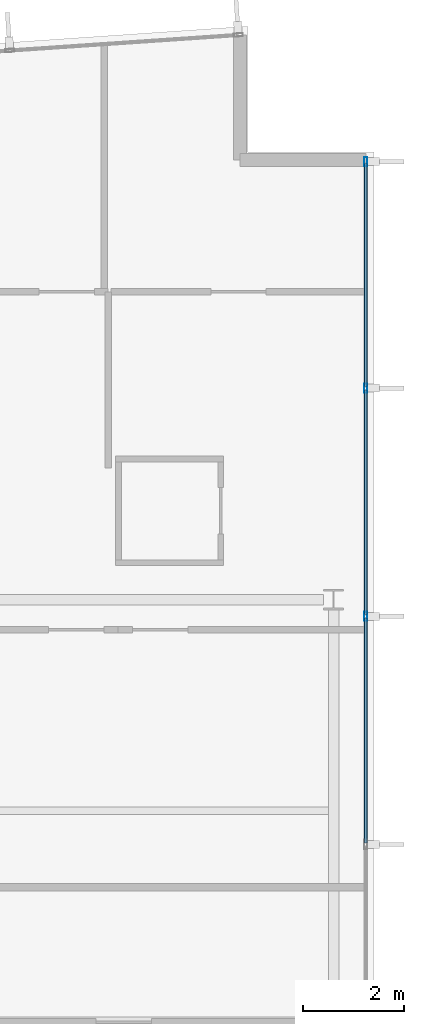
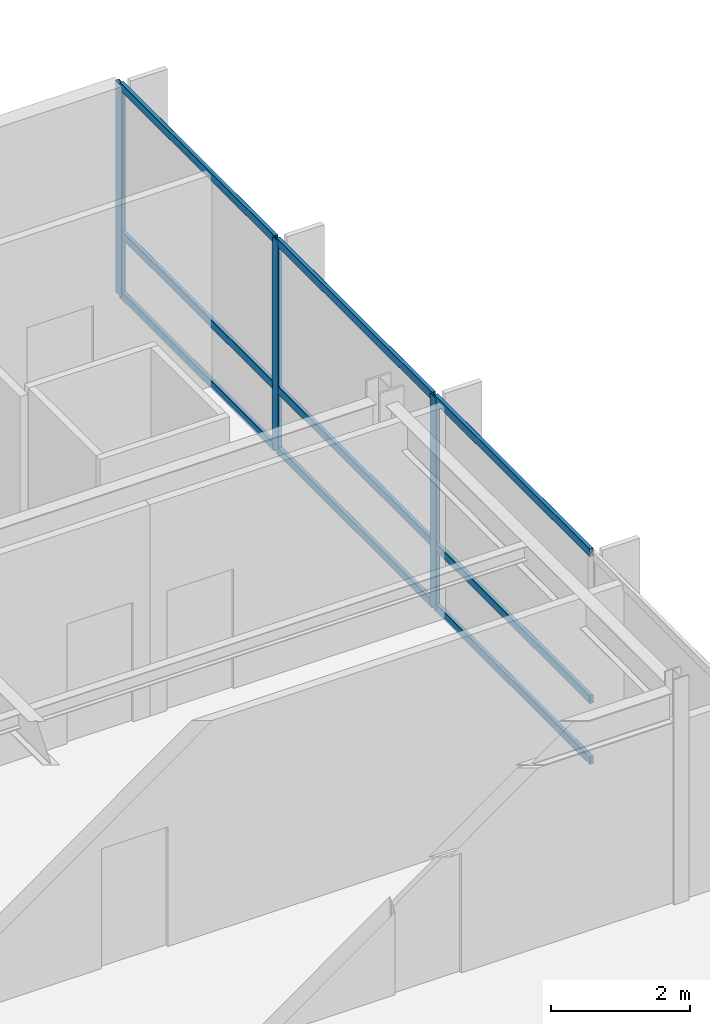
# One storey, part 8 of 17: 12 members, 1 element without a shape of its own.
"""IFC4 building model written with IfcOpenShell, lengths in metres."""

import ifcopenshell
import ifcopenshell.guid

model = None  # the IFC model being written
_history = None  # IfcOwnerHistory: only IFC2X3 demands one
_inside = {}  # id of a spatial element -> (the spatial element, [elements in it])
_under = {}  # id of a project, library or spatial element -> (it, [spatial elements below it])
_declared = {}  # id of a project -> (the project, [libraries it declares])
_typed = {}  # id of a type object -> (the type object, [elements of that type])
_made_of = {}  # id of a material, layer set ... -> (it, [elements and type objects made of it])


def new_model(schema):
    """Start an empty IFC model of exactly this schema.

    Asked for "IFC4X3", IfcOpenShell would pick the latest addendum, in which some entities
    have other attributes; the version numbers below select the first issue.
    IFC2X3 requires an IfcOwnerHistory on every rooted entity: one is made here for all.
    """
    global model, _history
    if schema == "IFC4X3":
        model = ifcopenshell.file(schema_version=(4, 3, 0, 0))
    else:
        model = ifcopenshell.file(schema=schema)
    _inside.clear()
    _under.clear()
    _declared.clear()
    _typed.clear()
    _made_of.clear()
    _history = None
    if model.schema == "IFC2X3":
        org = make("IfcOrganization", Name="unknown")
        user = make(
            "IfcPersonAndOrganization",
            ThePerson=make("IfcPerson", FamilyName="unknown"),
            TheOrganization=org,
        )
        app = make(
            "IfcApplication",
            ApplicationDeveloper=org,
            Version="unknown",
            ApplicationFullName="unknown",
            ApplicationIdentifier="unknown",
        )
        _history = make(
            "IfcOwnerHistory",
            OwningUser=user,
            OwningApplication=app,
            ChangeAction="ADDED",
            CreationDate=0,
        )
    return model


def make(cls, **values):
    """One entity of the class cls with the attributes given. An attribute that is None is left unset."""
    return model.create_entity(
        cls, **{name: value for name, value in values.items() if value is not None}
    )


def rooted(cls, **values):
    """An entity with a GlobalId (a new one), such as an element, a storey or a relation."""
    return make(cls, GlobalId=ifcopenshell.guid.new(), OwnerHistory=_history, **values)


def si_unit(unit_type, name, prefix=None):
    """IfcSIUnit, for example si_unit("LENGTHUNIT", "METRE", prefix="MILLI")."""
    return make("IfcSIUnit", UnitType=unit_type, Prefix=prefix, Name=name)


def assignment(units):
    """IfcUnitAssignment: the units of a project."""
    return None if units is None else make("IfcUnitAssignment", Units=units)


def point(xyz):
    """IfcCartesianPoint."""
    return None if xyz is None else make("IfcCartesianPoint", Coordinates=xyz)


def direction(xyz):
    """IfcDirection."""
    return None if xyz is None else make("IfcDirection", DirectionRatios=xyz)


def frame(location, z_axis=None, x_axis=None):
    """IfcAxis2Placement3D, a coordinate frame: its origin and axes. An axis left out is left unset."""
    return make(
        "IfcAxis2Placement3D",
        Location=point(location),
        Axis=direction(z_axis),
        RefDirection=direction(x_axis),
    )


def frame_2d(location, x_axis=None):
    """IfcAxis2Placement2D, a coordinate frame in the plane: its origin and x axis."""
    return make(
        "IfcAxis2Placement2D", Location=point(location), RefDirection=direction(x_axis)
    )


def origin():
    """The frame at (0, 0, 0) with its axes left unset."""
    return frame((0.0, 0.0, 0.0))


def origin_2d():
    """The frame at (0, 0) in the plane with its x axis left unset."""
    return frame_2d((0.0, 0.0))


def place(relative_to, where):
    """IfcLocalPlacement: puts the frame where relative to a parent placement (None: the world)."""
    return make(
        "IfcLocalPlacement", PlacementRelTo=relative_to, RelativePlacement=where
    )


def context(
    kind, dimensions, precision=None, world=None, true_north=None, identifier=None
):
    """IfcGeometricRepresentationContext, for example the 3D "Model" context."""
    return make(
        "IfcGeometricRepresentationContext",
        ContextIdentifier=identifier,
        ContextType=kind,
        CoordinateSpaceDimension=dimensions,
        Precision=precision,
        WorldCoordinateSystem=world,
        TrueNorth=true_north,
    )


def subcontext(parent, identifier, kind, view, scale=None):
    """IfcGeometricRepresentationSubContext, for example "Body" below "Model"."""
    return make(
        "IfcGeometricRepresentationSubContext",
        ContextIdentifier=identifier,
        ContextType=kind,
        ParentContext=parent,
        TargetScale=scale,
        TargetView=view,
    )


def project(units=None, contexts=None):
    """IfcProject with its units and contexts."""
    return rooted(
        "IfcProject",
        Name="project",
        RepresentationContexts=contexts,
        UnitsInContext=assignment(units),
    )


def spatial(cls, under=None, at=None, **own):
    """A site, building, storey or space (cls), placed at a placement, below another one or the project."""
    s = rooted(cls, ObjectPlacement=at, **own)
    if under is not None:
        _under.setdefault(under.id(), (under, []))[1].append(s)
    return s


def profile(cls, at=None, kind="AREA", **sizes):
    """A parametric profile (cls). Its sizes go by their IFC names, for example OverallWidth=200.0."""
    return make(cls, ProfileType=kind, Position=at, **sizes)


def hollow_rectangle(**sizes):
    """IfcRectangleHollowProfileDef."""
    return profile("IfcRectangleHollowProfileDef", **sizes)


def extrude(swept, where, along, depth):
    """IfcExtrudedAreaSolid: the profile swept, set in the frame where, extruded along a direction by depth."""
    return make(
        "IfcExtrudedAreaSolid",
        SweptArea=swept,
        Position=where,
        ExtrudedDirection=direction(along),
        Depth=depth,
    )


def shape(context_of_items, identifier, shape_type, items):
    """IfcShapeRepresentation: the items that make up one representation, for example the "Body"."""
    return make(
        "IfcShapeRepresentation",
        ContextOfItems=context_of_items,
        RepresentationIdentifier=identifier,
        RepresentationType=shape_type,
        Items=items,
    )


def material(Name=None, Category=None):
    """IfcMaterial."""
    return make("IfcMaterial", Name=Name, Category=Category)


def layer(
    of_material, thickness, ventilated=None, Name=None, Category=None, Priority=None
):
    """IfcMaterialLayer: one layer of a wall or slab, of a material (None: an air gap)."""
    return make(
        "IfcMaterialLayer",
        Material=of_material,
        LayerThickness=thickness,
        IsVentilated=ventilated,
        Name=Name,
        Category=Category,
        Priority=Priority,
    )


def layer_set(layers, Name=None):
    """IfcMaterialLayerSet."""
    return make("IfcMaterialLayerSet", MaterialLayers=layers, LayerSetName=Name)


def material_profile(
    of_material, cross_section, Name=None, Category=None, Priority=None
):
    """IfcMaterialProfile: a cross section and its material."""
    return make(
        "IfcMaterialProfile",
        Name=Name,
        Material=of_material,
        Profile=cross_section,
        Priority=Priority,
        Category=Category,
    )


def profile_set(profiles, Name=None, composite=None):
    """IfcMaterialProfileSet."""
    return make(
        "IfcMaterialProfileSet",
        Name=Name,
        MaterialProfiles=profiles,
        CompositeProfile=composite,
    )


def made_of(thing, what):
    """Note that an element or type object is made of a material, layer set ...; save() writes the relation."""
    if what is not None:
        _made_of.setdefault(what.id(), (what, []))[1].append(thing)
    return thing


def type_object(cls, material=None, **own):
    """A type object (cls), such as IfcWallType, which elements share."""
    return made_of(rooted(cls, **own), material)


def element(
    cls,
    number,
    at=None,
    inside=None,
    cuts=None,
    type_object=None,
    material=None,
    context=None,
    identifier="Body",
    shape_type=None,
    held_by="IfcProductDefinitionShape",
    body=None,
    shapes=None,
    **own,
):
    """One element of the class cls, such as IfcWall. Its Tag is "e" and its number.

    at: its placement. inside: the storey or other place that contains it. cuts: it is an
    opening in that element (IfcRelVoidsElement). A single representation is given by context,
    identifier, shape_type and body (its items); several are given by shapes. held_by: the class
    of the entity that holds the representations. save() writes the other relations.
    """
    e = rooted(cls, Tag="e%d" % number, ObjectPlacement=at, **own)
    if body is not None:
        shapes = [shape(context, identifier, shape_type, body)]
    if shapes is not None:
        e.Representation = make(held_by, Representations=shapes)
    if inside is not None:
        _inside.setdefault(inside.id(), (inside, []))[1].append(e)
    if cuts is not None:
        rooted(
            "IfcRelVoidsElement", RelatingBuildingElement=cuts, RelatedOpeningElement=e
        )
    if type_object is not None:
        _typed.setdefault(type_object.id(), (type_object, []))[1].append(e)
    return made_of(e, material)


def aggregate(whole, parts):
    """IfcRelAggregates: a whole, such as a stair, and the parts it consists of."""
    return rooted("IfcRelAggregates", RelatingObject=whole, RelatedObjects=parts)


def save(model, path):
    """Write the relations noted so far, then the file.

    IfcRelAggregates (storeys below a building ...), IfcRelContainedInSpatialStructure (elements
    in a storey), IfcRelDefinesByType, IfcRelAssociatesMaterial and IfcRelDeclares: one each for
    every whole, place, type object, material and project.
    """
    for whole, parts in _under.values():
        aggregate(whole, parts)
    for where, things in _inside.values():
        rooted(
            "IfcRelContainedInSpatialStructure",
            RelatedElements=things,
            RelatingStructure=where,
        )
    for kind, things in _typed.values():
        rooted("IfcRelDefinesByType", RelatedObjects=things, RelatingType=kind)
    for what, things in _made_of.values():
        rooted("IfcRelAssociatesMaterial", RelatedObjects=things, RelatingMaterial=what)
    for by, libraries in _declared.values():
        rooted("IfcRelDeclares", RelatingContext=by, RelatedDefinitions=libraries)
    model.write(path)


model = new_model("IFC4")

# Units and contexts
model_context = context("Model", 3, precision=1e-05, world=origin(), true_north=direction((0.0, 1.0)))
body_context = subcontext(model_context, "Body", "Model", "MODEL_VIEW")
ifc_project = project(units=[si_unit("LENGTHUNIT", "METRE"), si_unit("AREAUNIT", "SQUARE_METRE"), si_unit("VOLUMEUNIT", "CUBIC_METRE"), si_unit("PLANEANGLEUNIT", "RADIAN"), si_unit("MASSUNIT", "GRAM", prefix="KILO")], contexts=[model_context])

# Site, building, storey
site_placement = place(None, origin())
site = spatial("IfcSite", under=ifc_project, at=site_placement, CompositionType="ELEMENT")
building_placement = place(site_placement, origin())
building = spatial("IfcBuilding", under=site, at=building_placement, Name="Varnakote Quay Hospital", CompositionType="ELEMENT")
storey_placement = place(building_placement, frame((0.0, 0.0, 219.75)))
storey = spatial("IfcBuildingStorey", under=building, at=storey_placement, Name="L54", CompositionType="ELEMENT", Elevation=219.75)

# Curtain wall, members
ifc_material_1 = material(Name="Anodised aluminium 6063-T6 Bronze", Category="aluminium")
ifc_layer = layer(ifc_material_1, 0.219970703125)
ifc_layer_set = layer_set([ifc_layer], Name="Anodised aluminium 6063-T6 Bronze")
curtain_wall_type = type_object("IfcCurtainWallType", Name="CW-SYS-4", PredefinedType="NOTDEFINED", material=ifc_layer_set)
curtain_wall_placement = place(storey_placement, origin())
curtain_wall = element("IfcCurtainWall", 1, at=curtain_wall_placement, inside=storey, type_object=curtain_wall_type, Name="L54 Unitised Bronze Curtain Wall 1", PredefinedType="NOTDEFINED")
ifc_material_2 = material(Name="Anodised aluminium 6063-T6 Bronze", Category="aluminium")
ifc_material_profile_1 = material_profile(ifc_material_2, hollow_rectangle(XDim=0.06494140625, YDim=0.179931640625, WallThickness=0.00390625, InnerFilletRadius=0.00390625, OuterFilletRadius=0.008056640625, at=origin_2d()), Name="CW-MULL-180x65")
ifc_profile_set_1 = profile_set([ifc_material_profile_1], Name="Anodised aluminium 6063-T6 Bronze")
member_type_1 = type_object("IfcMemberType", Name="CW-MULL-180x65", PredefinedType="MULLION", material=ifc_profile_set_1)
member_1_placement = place(storey_placement, frame((51.0400390625, 20.068115234375, 0.0), z_axis=(0.0, 0.0, 1.0), x_axis=(-1.0, 0.0, 0.0)))
member_1 = element("IfcMember", 2, at=member_1_placement, type_object=member_type_1, Name="-4-L54-1 mullion 4", PredefinedType="MULLION", context=body_context, shape_type="SweptSolid", body=[
    extrude(hollow_rectangle(XDim=0.06494140625, YDim=0.179931640625, WallThickness=0.00390625, InnerFilletRadius=0.00390625, OuterFilletRadius=0.008056640625, at=origin_2d()), origin(), (0.0, 0.0, 1.0), 3.7099609375),
])
member_2_placement = place(storey_placement, frame((51.0400390625, 24.60400390625, 0.0), z_axis=(0.0, 0.0, 1.0), x_axis=(-1.0, 0.0, 0.0)))
member_2 = element("IfcMember", 3, at=member_2_placement, type_object=member_type_1, Name="-4-L54-1 mullion 5", PredefinedType="MULLION", context=body_context, shape_type="SweptSolid", body=[
    extrude(hollow_rectangle(XDim=0.06494140625, YDim=0.179931640625, WallThickness=0.00390625, InnerFilletRadius=0.00390625, OuterFilletRadius=0.008056640625, at=origin_2d()), origin(), (0.0, 0.0, 1.0), 3.7099609375),
])
member_3_placement = place(storey_placement, frame((51.0400390625, 29.107421875, 0.0), z_axis=(0.0, 0.0, 1.0), x_axis=(-1.0, 0.0, 0.0)))
member_3 = element("IfcMember", 4, at=member_3_placement, type_object=member_type_1, Name="-4-L54-1 mullion 6", PredefinedType="MULLION", context=body_context, shape_type="SweptSolid", body=[
    extrude(hollow_rectangle(XDim=0.06494140625, YDim=0.179931640625, WallThickness=0.00390625, InnerFilletRadius=0.00390625, OuterFilletRadius=0.008056640625, at=origin_2d()), origin(), (0.0, 0.0, 1.0), 3.7099609375),
])
ifc_material_3 = material(Name="Anodised aluminium 6063-T6 Bronze", Category="aluminium")
ifc_material_profile_2 = material_profile(ifc_material_3, hollow_rectangle(XDim=0.06494140625, YDim=0.139892578125, WallThickness=0.00390625, InnerFilletRadius=0.00390625, OuterFilletRadius=0.007568359375, at=origin_2d()), Name="CW-TRAN-140x65")
ifc_profile_set_2 = profile_set([ifc_material_profile_2], Name="Anodised aluminium 6063-T6 Bronze")
member_type_2 = type_object("IfcMemberType", Name="CW-TRAN-140x65", PredefinedType="USERDEFINED", material=ifc_profile_set_2)
member_4_placement = place(storey_placement, frame((51.0400390625, 15.564453125, 0.032470703125), z_axis=(0.0, 1.0, 0.0), x_axis=(-1.0, 0.0, 0.0)))
member_4 = element("IfcMember", 5, at=member_4_placement, type_object=member_type_2, Name="-4-L54-1 transom 3.1", ObjectType="TRANSOM", PredefinedType="USERDEFINED", context=body_context, shape_type="SweptSolid", body=[
    extrude(hollow_rectangle(XDim=0.06494140625, YDim=0.139892578125, WallThickness=0.00390625, InnerFilletRadius=0.00390625, OuterFilletRadius=0.007568359375, at=origin_2d()), origin(), (0.0, 0.0, 1.0), 4.470947265625),
])
member_5_placement = place(storey_placement, frame((51.0400390625, 15.564453125, 1.10009765625), z_axis=(0.0, 1.0, 0.0), x_axis=(-1.0, 0.0, 0.0)))
member_5 = element("IfcMember", 6, at=member_5_placement, type_object=member_type_2, Name="-4-L54-1 transom 3.2", ObjectType="TRANSOM", PredefinedType="USERDEFINED", context=body_context, shape_type="SweptSolid", body=[
    extrude(hollow_rectangle(XDim=0.06494140625, YDim=0.139892578125, WallThickness=0.00390625, InnerFilletRadius=0.00390625, OuterFilletRadius=0.007568359375, at=origin_2d()), origin(), (0.0, 0.0, 1.0), 4.470947265625),
])
member_6_placement = place(storey_placement, frame((51.0400390625, 15.564453125, 3.677490234375), z_axis=(0.0, 1.0, 0.0), x_axis=(-1.0, 0.0, 0.0)))
member_6 = element("IfcMember", 7, at=member_6_placement, type_object=member_type_2, Name="-4-L54-1 transom 3.3", ObjectType="TRANSOM", PredefinedType="USERDEFINED", context=body_context, shape_type="SweptSolid", body=[
    extrude(hollow_rectangle(XDim=0.06494140625, YDim=0.139892578125, WallThickness=0.00390625, InnerFilletRadius=0.00390625, OuterFilletRadius=0.007568359375, at=origin_2d()), origin(), (0.0, 0.0, 1.0), 4.470947265625),
])
member_7_placement = place(storey_placement, frame((51.0400390625, 20.1005859375, 0.032470703125), z_axis=(0.0, 1.0, 0.0), x_axis=(-1.0, 0.0, 0.0)))
member_7 = element("IfcMember", 8, at=member_7_placement, type_object=member_type_2, Name="-4-L54-1 transom 4.1", ObjectType="TRANSOM", PredefinedType="USERDEFINED", context=body_context, shape_type="SweptSolid", body=[
    extrude(hollow_rectangle(XDim=0.06494140625, YDim=0.139892578125, WallThickness=0.00390625, InnerFilletRadius=0.00390625, OuterFilletRadius=0.007568359375, at=origin_2d()), origin(), (0.0, 0.0, 1.0), 4.470947265625),
])
member_8_placement = place(storey_placement, frame((51.0400390625, 20.1005859375, 1.10009765625), z_axis=(0.0, 1.0, 0.0), x_axis=(-1.0, 0.0, 0.0)))
member_8 = element("IfcMember", 9, at=member_8_placement, type_object=member_type_2, Name="-4-L54-1 transom 4.2", ObjectType="TRANSOM", PredefinedType="USERDEFINED", context=body_context, shape_type="SweptSolid", body=[
    extrude(hollow_rectangle(XDim=0.06494140625, YDim=0.139892578125, WallThickness=0.00390625, InnerFilletRadius=0.00390625, OuterFilletRadius=0.007568359375, at=origin_2d()), origin(), (0.0, 0.0, 1.0), 4.470947265625),
])
member_9_placement = place(storey_placement, frame((51.0400390625, 20.1005859375, 3.677490234375), z_axis=(0.0, 1.0, 0.0), x_axis=(-1.0, 0.0, 0.0)))
member_9 = element("IfcMember", 10, at=member_9_placement, type_object=member_type_2, Name="-4-L54-1 transom 4.3", ObjectType="TRANSOM", PredefinedType="USERDEFINED", context=body_context, shape_type="SweptSolid", body=[
    extrude(hollow_rectangle(XDim=0.06494140625, YDim=0.139892578125, WallThickness=0.00390625, InnerFilletRadius=0.00390625, OuterFilletRadius=0.007568359375, at=origin_2d()), origin(), (0.0, 0.0, 1.0), 4.470947265625),
])
member_10_placement = place(storey_placement, frame((51.0400390625, 24.636474609375, 0.032470703125), z_axis=(0.0, 1.0, 0.0), x_axis=(-1.0, 0.0, 0.0)))
member_10 = element("IfcMember", 11, at=member_10_placement, type_object=member_type_2, Name="-4-L54-1 transom 5.1", ObjectType="TRANSOM", PredefinedType="USERDEFINED", context=body_context, shape_type="SweptSolid", body=[
    extrude(hollow_rectangle(XDim=0.06494140625, YDim=0.139892578125, WallThickness=0.00390625, InnerFilletRadius=0.00390625, OuterFilletRadius=0.007568359375, at=origin_2d()), origin(), (0.0, 0.0, 1.0), 4.4384765625),
])
member_11_placement = place(storey_placement, frame((51.0400390625, 24.636474609375, 1.10009765625), z_axis=(0.0, 1.0, 0.0), x_axis=(-1.0, 0.0, 0.0)))
member_11 = element("IfcMember", 12, at=member_11_placement, type_object=member_type_2, Name="-4-L54-1 transom 5.2", ObjectType="TRANSOM", PredefinedType="USERDEFINED", context=body_context, shape_type="SweptSolid", body=[
    extrude(hollow_rectangle(XDim=0.06494140625, YDim=0.139892578125, WallThickness=0.00390625, InnerFilletRadius=0.00390625, OuterFilletRadius=0.007568359375, at=origin_2d()), origin(), (0.0, 0.0, 1.0), 4.4384765625),
])
member_12_placement = place(storey_placement, frame((51.0400390625, 24.636474609375, 3.677490234375), z_axis=(0.0, 1.0, 0.0), x_axis=(-1.0, 0.0, 0.0)))
member_12 = element("IfcMember", 13, at=member_12_placement, type_object=member_type_2, Name="-4-L54-1 transom 5.3", ObjectType="TRANSOM", PredefinedType="USERDEFINED", context=body_context, shape_type="SweptSolid", body=[
    extrude(hollow_rectangle(XDim=0.06494140625, YDim=0.139892578125, WallThickness=0.00390625, InnerFilletRadius=0.00390625, OuterFilletRadius=0.007568359375, at=origin_2d()), origin(), (0.0, 0.0, 1.0), 4.4384765625),
])
aggregate(curtain_wall, [member_1, member_2, member_3, member_4, member_5, member_6, member_7, member_8, member_9, member_10, member_11, member_12])

save(model, "model.ifc")
